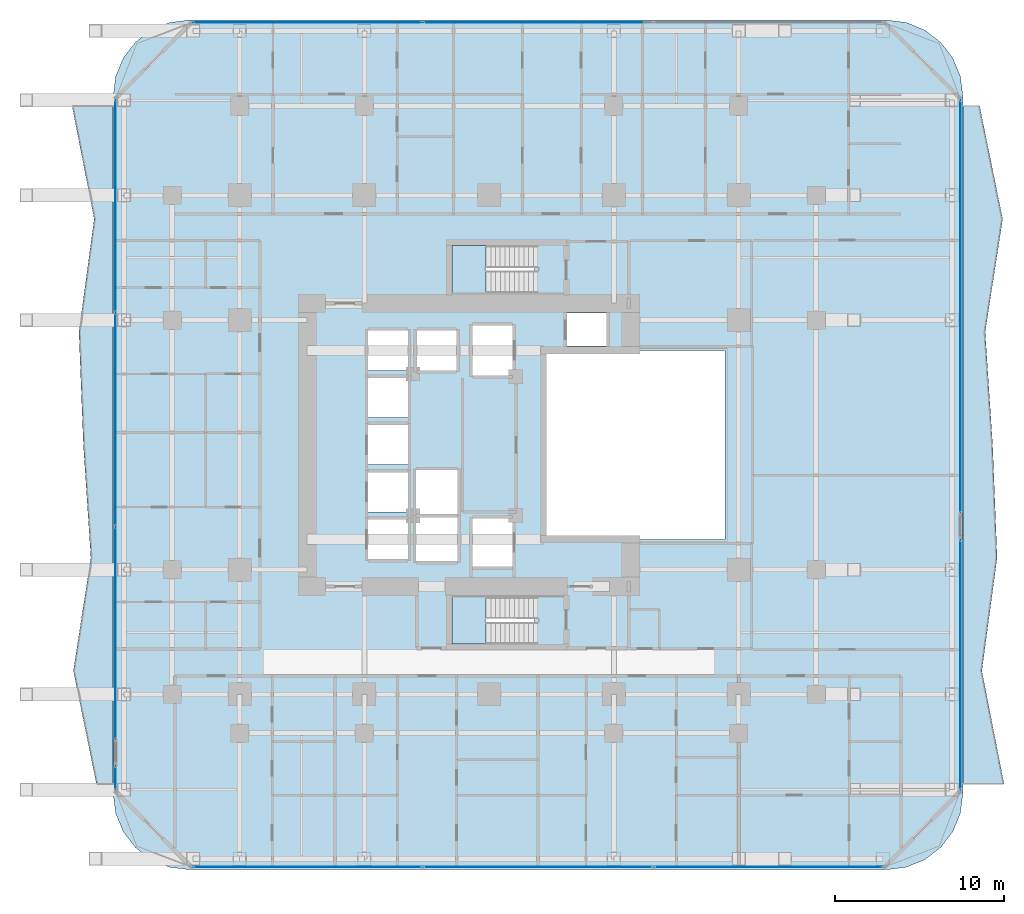
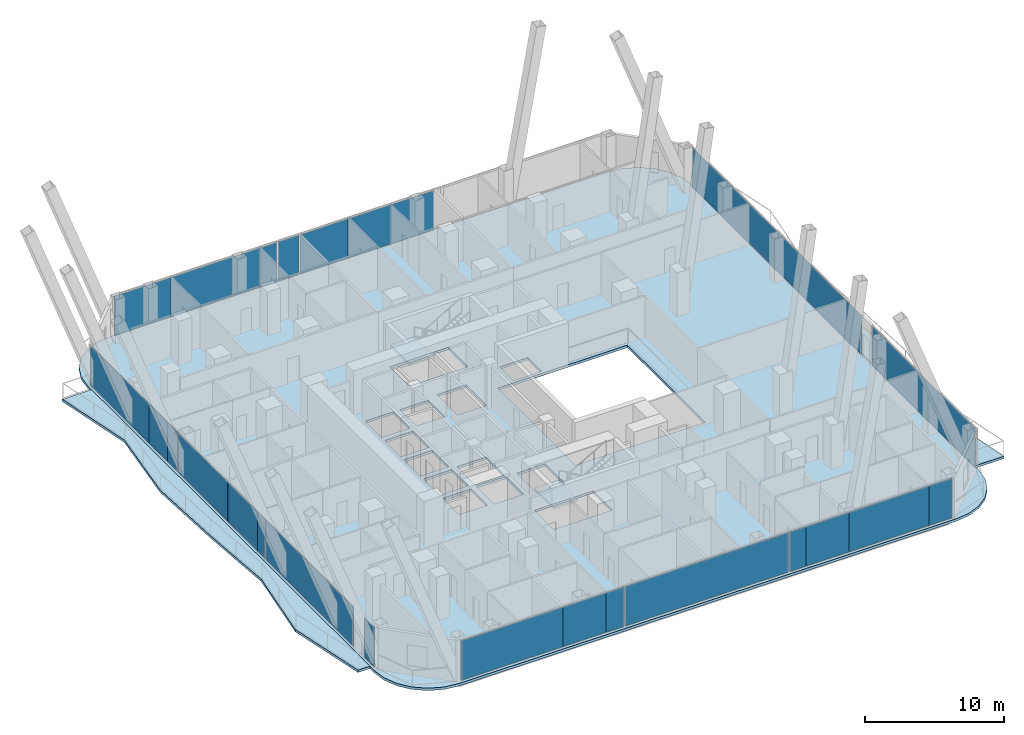
# One storey, part 23 of 33: 25 plates, 5 slabs, 8 elements without a shape of their own.
"""IFC4 building model written with IfcOpenShell, lengths in metres."""

from ifc_helpers import new_model, si_unit, direction, frame, origin, origin_2d, place, context, subcontext, project, spatial, polyline, rectangle, outline, extrude, material, layer, layer_set, type_object, element, aggregate, save


model = new_model("IFC4")

# Units and contexts
model_context = context("Model", 3, precision=1e-05, world=origin(), true_north=direction((0.0, 1.0)))
body_context = subcontext(model_context, "Body", "Model", "MODEL_VIEW")
ifc_project = project(units=[si_unit("LENGTHUNIT", "METRE"), si_unit("AREAUNIT", "SQUARE_METRE"), si_unit("VOLUMEUNIT", "CUBIC_METRE"), si_unit("PLANEANGLEUNIT", "RADIAN"), si_unit("MASSUNIT", "GRAM", prefix="KILO")], contexts=[model_context])

# Site, building, storey
site_placement = place(None, origin())
site = spatial("IfcSite", under=ifc_project, at=site_placement, CompositionType="ELEMENT")
building_placement = place(site_placement, origin())
building = spatial("IfcBuilding", under=site, at=building_placement, Name="Khorvyn Point Tower", CompositionType="ELEMENT")
storey_placement = place(building_placement, frame((0.0, 0.0, 38.39990234375)))
storey = spatial("IfcBuildingStorey", under=building, at=storey_placement, Name="L10", CompositionType="ELEMENT", Elevation=38.39990234375)

# Slabs
ifc_material_1 = material(Name="Concrete C35/45", Category="concrete")
ifc_layer_1 = layer(ifc_material_1, 0.219970703125)
ifc_layer_set_1 = layer_set([ifc_layer_1], Name="Concrete C35/45 Structural Floor Slab 220")
slab_type_1 = type_object("IfcSlabType", Name="Concrete C35/45 Structural Floor Slab 220", PredefinedType="FLOOR", material=ifc_layer_set_1)
slab_1_placement = place(storey_placement, frame((0.0, 0.0, -0.219970703125)))
element("IfcSlab", 1, at=slab_1_placement, inside=storey, type_object=slab_type_1, Name="L10 Main Structural Floor Slab", PredefinedType="FLOOR", context=body_context, shape_type="SweptSolid", body=[
    extrude(outline(polyline([(-17.800048828125, -25.199951171875), (-18.964599609375, -25.046630859375), (-20.050048828125, -24.59716796875), (-20.98193359375, -23.882080078125), (-21.697021484375, -22.949951171875), (-22.146728515625, -21.86474609375), (-22.300048828125, -20.699951171875), (-22.300048828125, 20.699951171875), (-22.146728515625, 21.86474609375), (-21.697021484375, 22.949951171875), (-20.98193359375, 23.882080078125), (-20.050048828125, 24.59716796875), (-18.964599609375, 25.046630859375), (-17.800048828125, 25.199951171875), (23.60009765625, 25.199951171875), (24.7646484375, 25.046630859375), (25.85009765625, 24.59716796875), (26.781982421875, 23.882080078125), (27.4970703125, 22.949951171875), (27.94677734375, 21.86474609375), (28.10009765625, 20.699951171875), (28.10009765625, -20.699951171875), (27.94677734375, -21.86474609375), (27.4970703125, -22.949951171875), (26.781982421875, -23.882080078125), (25.85009765625, -24.59716796875), (24.7646484375, -25.046630859375), (23.60009765625, -25.199951171875), (-17.800048828125, -25.199951171875)]), holes=[polyline([(-4.824951171875, -6.77490234375), (-4.824951171875, -4.425048828125), (-7.175048828125, -4.425048828125), (-7.175048828125, -6.77490234375), (-4.824951171875, -6.77490234375)]), polyline([(-4.324951171875, -6.89990234375), (-1.875, -6.89990234375), (-1.875, -4.300048828125), (-4.324951171875, -4.300048828125), (-4.324951171875, -6.89990234375)]), polyline([(-7.175048828125, -3.97509765625), (-4.824951171875, -3.97509765625), (-4.824951171875, -1.625), (-7.175048828125, -1.625), (-7.175048828125, -3.97509765625)]), polyline([(-7.175048828125, -1.175048828125), (-4.824951171875, -1.175048828125), (-4.824951171875, 1.175048828125), (-7.175048828125, 1.175048828125), (-7.175048828125, -1.175048828125)]), polyline([(-7.175048828125, 1.625), (-4.824951171875, 1.625), (-4.824951171875, 3.97509765625), (-7.175048828125, 3.97509765625), (-7.175048828125, 1.625)]), polyline([(-7.175048828125, 4.425048828125), (-4.824951171875, 4.425048828125), (-4.824951171875, 6.77490234375), (-7.175048828125, 6.77490234375), (-7.175048828125, 4.425048828125)]), polyline([(-4.27490234375, 4.425048828125), (-1.925048828125, 4.425048828125), (-1.925048828125, 6.77490234375), (-4.27490234375, 6.77490234375), (-4.27490234375, 4.425048828125)]), polyline([(2.679931640625, -11.820068359375), (2.679931640625, -9.02001953125), (-2.199951171875, -9.02001953125), (-2.199951171875, -11.820068359375), (2.679931640625, -11.820068359375)]), polyline([(-0.97509765625, -7.22509765625), (1.375, -7.22509765625), (1.375, -4.375), (-0.97509765625, -4.375), (-0.97509765625, -7.22509765625)]), polyline([(-4.324951171875, -4.10009765625), (-1.875, -4.10009765625), (-1.875, -1.5), (-4.324951171875, -1.5), (-4.324951171875, -4.10009765625)]), polyline([(3.199951171875, -5.60009765625), (14.0, -5.60009765625), (14.0, 5.60009765625), (3.199951171875, 5.60009765625), (3.199951171875, -5.60009765625)]), polyline([(-1.0, 4.125), (1.39990234375, 4.125), (1.39990234375, 7.074951171875), (-1.0, 7.074951171875), (-1.0, 4.125)]), polyline([(4.625, 5.85009765625), (6.97509765625, 5.85009765625), (6.97509765625, 7.830078125), (4.625, 7.830078125), (4.625, 5.85009765625)]), polyline([(-2.199951171875, 9.02001953125), (2.679931640625, 9.02001953125), (2.679931640625, 11.820068359375), (-2.199951171875, 11.820068359375), (-2.199951171875, 9.02001953125)])]), origin(), (0.0, 0.0, 1.0), 0.219970703125),
])
ifc_material_2 = material(Name="Concrete C40/50", Category="concrete")
ifc_layer_2 = layer(ifc_material_2, 0.2099609375)
ifc_layer_set_2 = layer_set([ifc_layer_2], Name="Concrete C40/50 Rippling Balcony Slab 210")
slab_type_2 = type_object("IfcSlabType", Name="Concrete C40/50 Rippling Balcony Slab 210", PredefinedType="USERDEFINED", material=ifc_layer_set_2)
slab_2_placement = place(storey_placement, frame((0.0, 0.0, -0.2099609375)))
element("IfcSlab", 2, at=slab_2_placement, inside=storey, type_object=slab_type_2, Name="L10 East Sinusoidal Rippling Balcony", ObjectType="BALCONY", PredefinedType="USERDEFINED", context=body_context, shape_type="SweptSolid", body=[
    extrude(outline(polyline([(28.10009765625, -20.10009765625), (30.53857421875, -20.10009765625), (29.225341796875, -13.39990234375), (30.129638671875, -6.699951171875), (29.864990234375, 0.0), (29.422607421875, 6.699951171875), (30.458984375, 13.39990234375), (29.0927734375, 20.10009765625), (28.10009765625, 20.10009765625), (28.10009765625, -20.10009765625)])), origin(), (0.0, 0.0, 1.0), 0.2099609375),
])
slab_3_placement = place(storey_placement, frame((0.0, 0.0, -0.2099609375)))
element("IfcSlab", 3, at=slab_3_placement, inside=storey, type_object=slab_type_2, Name="L10 West Sinusoidal Rippling Balcony", ObjectType="BALCONY", PredefinedType="USERDEFINED", context=body_context, shape_type="SweptSolid", body=[
    extrude(outline(polyline([(-22.300048828125, 20.10009765625), (-24.738525390625, 20.10009765625), (-23.42529296875, 13.39990234375), (-24.32958984375, 6.699951171875), (-24.06494140625, 0.0), (-23.62255859375, -6.699951171875), (-24.6591796875, -13.39990234375), (-23.292724609375, -20.10009765625), (-22.300048828125, -20.10009765625), (-22.300048828125, 20.10009765625)])), origin(), (0.0, 0.0, 1.0), 0.2099609375),
])

# Stair, slab
stair_type = type_object("IfcStairType", Name="Tower Concrete C40/50 Dogleg Exit Stair", PredefinedType="HALF_TURN_STAIR", material=ifc_material_2)
stair_1_placement = place(storey_placement, origin())
stair_1 = element("IfcStair", 4, at=stair_1_placement, inside=storey, type_object=stair_type, Name="L10 Tower Smokeproof Exit Stair South", PredefinedType="HALF_TURN_STAIR")
ifc_layer_3 = layer(ifc_material_2, 0.199951171875)
ifc_layer_set_3 = layer_set([ifc_layer_3], Name="Concrete C40/50 Stair Landing Slab 200")
slab_type_3 = type_object("IfcSlabType", Name="Concrete C40/50 Stair Landing Slab 200", PredefinedType="LANDING", material=ifc_layer_set_3)
slab_4_placement = place(storey_placement, frame((0.0, 0.0, 1.75)))
slab_4 = element("IfcSlab", 5, at=slab_4_placement, type_object=slab_type_3, Name="ST-01 landing 1", PredefinedType="LANDING", context=body_context, shape_type="SweptSolid", body=[
    extrude(outline(polyline([(-0.179931640625, -9.02001953125), (-2.199951171875, -9.02001953125), (-2.199951171875, -11.820068359375), (-0.179931640625, -11.820068359375), (-0.179931640625, -9.02001953125)])), origin(), (0.0, 0.0, 1.0), 0.2001953125),
])
aggregate(stair_1, [slab_4])

stair_2_placement = place(storey_placement, origin())
stair_2 = element("IfcStair", 6, at=stair_2_placement, inside=storey, type_object=stair_type, Name="L10 Tower Smokeproof Exit Stair North", PredefinedType="HALF_TURN_STAIR")
slab_5_placement = place(storey_placement, frame((0.0, 0.0, 1.75)))
slab_5 = element("IfcSlab", 7, at=slab_5_placement, type_object=slab_type_3, Name="ST-02 landing 1", PredefinedType="LANDING", context=body_context, shape_type="SweptSolid", body=[
    extrude(outline(polyline([(-0.179931640625, 11.820068359375), (-2.199951171875, 11.820068359375), (-2.199951171875, 9.02001953125), (-0.179931640625, 9.02001953125), (-0.179931640625, 11.820068359375)])), origin(), (0.0, 0.0, 1.0), 0.2001953125),
])
aggregate(stair_2, [slab_5])

# Curtain wall, plates
ifc_material_3 = material(Name="Anodised aluminium 6063-T6 and laminated Low-E glass", Category="aluminium")
ifc_layer_4 = layer(ifc_material_3, 0.18994140625)
ifc_layer_set_4 = layer_set([ifc_layer_4], Name="Stick-Built Finned Residential Curtain Wall CW-SYS-02")
curtain_wall_type = type_object("IfcCurtainWallType", Name="Stick-Built Finned Residential Curtain Wall CW-SYS-02", PredefinedType="NOTDEFINED", material=ifc_layer_set_4)
curtain_wall_1_placement = place(storey_placement, origin())
curtain_wall_1 = element("IfcCurtainWall", 8, at=curtain_wall_1_placement, inside=storey, type_object=curtain_wall_type, Name="Curtain Wall", PredefinedType="NOTDEFINED")
ifc_material_4 = material(Name="Laminated Low-E insulated glass", Category="glass")
ifc_layer_5 = layer(ifc_material_4, 0.028076171875)
ifc_layer_set_5 = layer_set([ifc_layer_5], Name="Tempered Low-E Vision Glazing Panel CW-GL28")
plate_type = type_object("IfcPlateType", Name="Tempered Low-E Vision Glazing Panel CW-GL28", PredefinedType="CURTAIN_PANEL", material=ifc_layer_set_5)
plate_1_placement = place(storey_placement, frame((10.48095703125, -25.050048828125, 0.10009765625), z_axis=(0.0, 0.0, 1.0), x_axis=(-1.0, 0.0, 0.0)))
plate_1 = element("IfcPlate", 9, at=plate_1_placement, type_object=plate_type, Name="Panel", PredefinedType="CURTAIN_PANEL", context=body_context, shape_type="SweptSolid", body=[
    extrude(rectangle(XDim=1.35400390625, YDim=0.028076171875, at=origin_2d()), origin(), (0.0, 0.0, 1.0), 3.47998046875),
])
plate_2_placement = place(storey_placement, frame((12.9619140625, -25.050048828125, 0.10009765625), z_axis=(0.0, 0.0, 1.0), x_axis=(-1.0, 0.0, 0.0)))
plate_2 = element("IfcPlate", 10, at=plate_2_placement, type_object=plate_type, Name="Panel", PredefinedType="CURTAIN_PANEL", context=body_context, shape_type="SweptSolid", body=[
    extrude(rectangle(XDim=3.592041015625, YDim=0.028076171875, at=origin_2d()), origin(), (0.0, 0.0, 1.0), 3.47998046875),
])
plate_3_placement = place(storey_placement, frame((18.08837890625, -25.050048828125, 0.10009765625), z_axis=(0.0, 0.0, 1.0), x_axis=(-1.0, 0.0, 0.0)))
plate_3 = element("IfcPlate", 11, at=plate_3_placement, type_object=plate_type, Name="Panel", PredefinedType="CURTAIN_PANEL", context=body_context, shape_type="SweptSolid", body=[
    extrude(rectangle(XDim=6.64501953125, YDim=0.028076171875, at=origin_2d()), origin(), (0.0, 0.0, 1.0), 3.47998046875),
])
plate_4_placement = place(storey_placement, frame((22.382568359375, -25.050048828125, 0.10009765625), z_axis=(0.0, 0.0, 1.0), x_axis=(-1.0, 0.0, 0.0)))
plate_4 = element("IfcPlate", 12, at=plate_4_placement, type_object=plate_type, Name="Panel", PredefinedType="CURTAIN_PANEL", context=body_context, shape_type="SweptSolid", body=[
    extrude(rectangle(XDim=1.927001953125, YDim=0.028076171875, at=origin_2d()), origin(), (0.0, 0.0, 1.0), 3.47998046875),
])
plate_5_placement = place(storey_placement, frame((2.89990234375, -25.050048828125, 0.10009765625), z_axis=(0.0, 0.0, 1.0), x_axis=(-1.0, 0.0, 0.0)))
plate_5 = element("IfcPlate", 13, at=plate_5_placement, type_object=plate_type, Name="Panel", PredefinedType="CURTAIN_PANEL", context=body_context, shape_type="SweptSolid", body=[
    extrude(rectangle(XDim=13.60009765625, YDim=0.028076171875, at=origin_2d()), origin(), (0.0, 0.0, 1.0), 3.47998046875),
])
plate_6_placement = place(storey_placement, frame((-13.320556640625, -25.050048828125, 0.10009765625), z_axis=(0.0, 0.0, 1.0), x_axis=(-1.0, 0.0, 0.0)))
plate_6 = element("IfcPlate", 14, at=plate_6_placement, type_object=plate_type, Name="Panel", PredefinedType="CURTAIN_PANEL", context=body_context, shape_type="SweptSolid", body=[
    extrude(rectangle(XDim=8.450927734375, YDim=0.028076171875, at=origin_2d()), origin(), (0.0, 0.0, 1.0), 3.47998046875),
])
plate_7_placement = place(storey_placement, frame((-7.29248046875, -25.050048828125, 0.10009765625), z_axis=(0.0, 0.0, 1.0), x_axis=(-1.0, 0.0, 0.0)))
plate_7 = element("IfcPlate", 15, at=plate_7_placement, type_object=plate_type, Name="Panel", PredefinedType="CURTAIN_PANEL", context=body_context, shape_type="SweptSolid", body=[
    extrude(rectangle(XDim=3.589111328125, YDim=0.028076171875, at=origin_2d()), origin(), (0.0, 0.0, 1.0), 3.47998046875),
])
plate_8_placement = place(storey_placement, frame((-4.7470703125, -25.050048828125, 0.10009765625), z_axis=(0.0, 0.0, 1.0), x_axis=(-1.0, 0.0, 0.0)))
plate_8 = element("IfcPlate", 16, at=plate_8_placement, type_object=plate_type, Name="Panel", PredefinedType="CURTAIN_PANEL", context=body_context, shape_type="SweptSolid", body=[
    extrude(rectangle(XDim=1.486083984375, YDim=0.028076171875, at=origin_2d()), origin(), (0.0, 0.0, 1.0), 3.47998046875),
])
aggregate(curtain_wall_1, [plate_1, plate_2, plate_3, plate_4, plate_5, plate_6, plate_7, plate_8])

curtain_wall_2_placement = place(storey_placement, origin())
curtain_wall_2 = element("IfcCurtainWall", 17, at=curtain_wall_2_placement, inside=storey, type_object=curtain_wall_type, Name="Curtain Wall", PredefinedType="NOTDEFINED")
plate_9_placement = place(storey_placement, frame((-15.214111328125, 25.050048828125, 0.10009765625), z_axis=(0.0, 0.0, 1.0), x_axis=(1.0, 0.0, 0.0)))
plate_9 = element("IfcPlate", 18, at=plate_9_placement, type_object=plate_type, Name="Panel", PredefinedType="CURTAIN_PANEL", context=body_context, shape_type="SweptSolid", body=[
    extrude(rectangle(XDim=4.6640625, YDim=0.028076171875, at=origin_2d()), origin(), (0.0, 0.0, 1.0), 3.47998046875),
])
plate_10_placement = place(storey_placement, frame((-9.134033203125, 25.050048828125, 0.10009765625), z_axis=(0.0, 0.0, 1.0), x_axis=(1.0, 0.0, 0.0)))
plate_10 = element("IfcPlate", 19, at=plate_10_placement, type_object=plate_type, Name="Panel", PredefinedType="CURTAIN_PANEL", context=body_context, shape_type="SweptSolid", body=[
    extrude(rectangle(XDim=7.47998046875, YDim=0.028076171875, at=origin_2d()), origin(), (0.0, 0.0, 1.0), 3.47998046875),
])
plate_11_placement = place(storey_placement, frame((-4.695068359375, 25.050048828125, 0.10009765625), z_axis=(0.0, 0.0, 1.0), x_axis=(1.0, 0.0, 0.0)))
plate_11 = element("IfcPlate", 20, at=plate_11_placement, type_object=plate_type, Name="Panel", PredefinedType="CURTAIN_PANEL", context=body_context, shape_type="SweptSolid", body=[
    extrude(rectangle(XDim=1.382080078125, YDim=0.028076171875, at=origin_2d()), origin(), (0.0, 0.0, 1.0), 3.47998046875),
])
plate_12_placement = place(storey_placement, frame((-3.04052734375, 25.050048828125, 0.10009765625), z_axis=(0.0, 0.0, 1.0), x_axis=(1.0, 0.0, 0.0)))
plate_12 = element("IfcPlate", 21, at=plate_12_placement, type_object=plate_type, Name="Panel", PredefinedType="CURTAIN_PANEL", context=body_context, shape_type="SweptSolid", body=[
    extrude(rectangle(XDim=1.7109375, YDim=0.028076171875, at=origin_2d()), origin(), (0.0, 0.0, 1.0), 3.47998046875),
])
plate_13_placement = place(storey_placement, frame((-0.071044921875, 25.050048828125, 0.10009765625), z_axis=(0.0, 0.0, 1.0), x_axis=(1.0, 0.0, 0.0)))
plate_13 = element("IfcPlate", 22, at=plate_13_placement, type_object=plate_type, Name="Panel", PredefinedType="CURTAIN_PANEL", context=body_context, shape_type="SweptSolid", body=[
    extrude(rectangle(XDim=3.971923828125, YDim=0.028076171875, at=origin_2d()), origin(), (0.0, 0.0, 1.0), 3.47998046875),
])
plate_14_placement = place(storey_placement, frame((3.722412109375, 25.050048828125, 0.10009765625), z_axis=(0.0, 0.0, 1.0), x_axis=(1.0, 0.0, 0.0)))
plate_14 = element("IfcPlate", 23, at=plate_14_placement, type_object=plate_type, Name="Panel", PredefinedType="CURTAIN_PANEL", context=body_context, shape_type="SweptSolid", body=[
    extrude(rectangle(XDim=3.59912109375, YDim=0.028076171875, at=origin_2d()), origin(), (0.0, 0.0, 1.0), 3.47998046875),
])
plate_15_placement = place(storey_placement, frame((7.285400390625, 25.050048828125, 0.10009765625), z_axis=(0.0, 0.0, 1.0), x_axis=(1.0, 0.0, 0.0)))
plate_15 = element("IfcPlate", 24, at=plate_15_placement, type_object=plate_type, Name="Panel", PredefinedType="CURTAIN_PANEL", context=body_context, shape_type="SweptSolid", body=[
    extrude(rectangle(XDim=3.510986328125, YDim=0.028076171875, at=origin_2d()), origin(), (0.0, 0.0, 1.0), 3.47998046875),
])
aggregate(curtain_wall_2, [plate_9, plate_10, plate_11, plate_12, plate_13, plate_14, plate_15])

# Curtain wall, plate
curtain_wall_3_placement = place(storey_placement, origin())
curtain_wall_3 = element("IfcCurtainWall", 25, at=curtain_wall_3_placement, inside=storey, type_object=curtain_wall_type, Name="Curtain Wall", PredefinedType="NOTDEFINED")
plate_16_placement = place(storey_placement, frame((-22.14990234375, -19.760009765625, 0.10009765625), z_axis=(0.0, 0.0, 1.0), x_axis=(0.0, 1.0, 0.0)))
plate_16 = element("IfcPlate", 26, at=plate_16_placement, type_object=plate_type, Name="Panel", PredefinedType="CURTAIN_PANEL", context=body_context, shape_type="SweptSolid", body=[
    extrude(rectangle(XDim=1.3798828125, YDim=0.028076171875, at=origin_2d()), origin(), (0.0, 0.0, 1.0), 3.47998046875),
])
aggregate(curtain_wall_3, [plate_16])

# Curtain wall, plates
curtain_wall_4_placement = place(storey_placement, origin())
curtain_wall_4 = element("IfcCurtainWall", 27, at=curtain_wall_4_placement, inside=storey, type_object=curtain_wall_type, Name="Curtain Wall", PredefinedType="NOTDEFINED")
plate_17_placement = place(storey_placement, frame((-22.14990234375, -11.158447265625, 0.10009765625), z_axis=(0.0, 0.0, 1.0), x_axis=(0.0, 1.0, 0.0)))
plate_17 = element("IfcPlate", 28, at=plate_17_placement, type_object=plate_type, Name="Panel", PredefinedType="CURTAIN_PANEL", context=body_context, shape_type="SweptSolid", body=[
    extrude(rectangle(XDim=12.543212890625, YDim=0.028076171875, at=origin_2d()), origin(), (0.0, 0.0, 1.0), 3.47998046875),
])
plate_18_placement = place(storey_placement, frame((-22.14990234375, -4.212890625, 0.10009765625), z_axis=(0.0, 0.0, 1.0), x_axis=(0.0, 1.0, 0.0)))
plate_18 = element("IfcPlate", 29, at=plate_18_placement, type_object=plate_type, Name="Panel", PredefinedType="CURTAIN_PANEL", context=body_context, shape_type="SweptSolid", body=[
    extrude(rectangle(XDim=1.1396484375, YDim=0.028076171875, at=origin_2d()), origin(), (0.0, 0.0, 1.0), 3.47998046875),
])
plate_19_placement = place(storey_placement, frame((-22.14990234375, -1.486083984375, 0.10009765625), z_axis=(0.0, 0.0, 1.0), x_axis=(0.0, 1.0, 0.0)))
plate_19 = element("IfcPlate", 30, at=plate_19_placement, type_object=plate_type, Name="Panel", PredefinedType="CURTAIN_PANEL", context=body_context, shape_type="SweptSolid", body=[
    extrude(rectangle(XDim=4.298095703125, YDim=0.028076171875, at=origin_2d()), origin(), (0.0, 0.0, 1.0), 3.47998046875),
])
plate_20_placement = place(storey_placement, frame((-22.14990234375, 4.23681640625, 0.10009765625), z_axis=(0.0, 0.0, 1.0), x_axis=(0.0, 1.0, 0.0)))
plate_20 = element("IfcPlate", 31, at=plate_20_placement, type_object=plate_type, Name="Panel", PredefinedType="CURTAIN_PANEL", context=body_context, shape_type="SweptSolid", body=[
    extrude(rectangle(XDim=7.131591796875, YDim=0.028076171875, at=origin_2d()), origin(), (0.0, 0.0, 1.0), 3.47998046875),
])
plate_21_placement = place(storey_placement, frame((-22.14990234375, 8.643310546875, 0.10009765625), z_axis=(0.0, 0.0, 1.0), x_axis=(0.0, 1.0, 0.0)))
plate_21 = element("IfcPlate", 32, at=plate_21_placement, type_object=plate_type, Name="Panel", PredefinedType="CURTAIN_PANEL", context=body_context, shape_type="SweptSolid", body=[
    extrude(rectangle(XDim=1.46533203125, YDim=0.028076171875, at=origin_2d()), origin(), (0.0, 0.0, 1.0), 3.47998046875),
])
plate_22_placement = place(storey_placement, frame((-22.14990234375, 10.719970703125, 0.10009765625), z_axis=(0.0, 0.0, 1.0), x_axis=(0.0, 1.0, 0.0)))
plate_22 = element("IfcPlate", 33, at=plate_22_placement, type_object=plate_type, Name="Panel", PredefinedType="CURTAIN_PANEL", context=body_context, shape_type="SweptSolid", body=[
    extrude(rectangle(XDim=2.672119140625, YDim=0.028076171875, at=origin_2d()), origin(), (0.0, 0.0, 1.0), 3.47998046875),
])
plate_23_placement = place(storey_placement, frame((-22.14990234375, 16.2548828125, 0.10009765625), z_axis=(0.0, 0.0, 1.0), x_axis=(0.0, 1.0, 0.0)))
plate_23 = element("IfcPlate", 34, at=plate_23_placement, type_object=plate_type, Name="Panel", PredefinedType="CURTAIN_PANEL", context=body_context, shape_type="SweptSolid", body=[
    extrude(rectangle(XDim=8.382080078125, YDim=0.028076171875, at=origin_2d()), origin(), (0.0, 0.0, 1.0), 3.47998046875),
])
aggregate(curtain_wall_4, [plate_17, plate_18, plate_19, plate_20, plate_21, plate_22, plate_23])

# Curtain wall, plate
curtain_wall_5_placement = place(storey_placement, origin())
curtain_wall_5 = element("IfcCurtainWall", 35, at=curtain_wall_5_placement, inside=storey, type_object=curtain_wall_type, Name="Curtain Wall", PredefinedType="NOTDEFINED")
plate_24_placement = place(storey_placement, frame((27.949951171875, 8.219970703125, 0.10009765625), z_axis=(0.0, 0.0, 1.0), x_axis=(0.0, -1.0, 0.0)))
plate_24 = element("IfcPlate", 36, at=plate_24_placement, type_object=plate_type, Name="Panel", PredefinedType="CURTAIN_PANEL", context=body_context, shape_type="SweptSolid", body=[
    extrude(rectangle(XDim=24.4599609375, YDim=0.028076171875, at=origin_2d()), origin(), (0.0, 0.0, 1.0), 3.47998046875),
])
aggregate(curtain_wall_5, [plate_24])

curtain_wall_6_placement = place(storey_placement, origin())
curtain_wall_6 = element("IfcCurtainWall", 37, at=curtain_wall_6_placement, inside=storey, type_object=curtain_wall_type, Name="Curtain Wall", PredefinedType="NOTDEFINED")
plate_25_placement = place(storey_placement, frame((27.949951171875, -13.050048828125, 0.10009765625), z_axis=(0.0, 0.0, 1.0), x_axis=(0.0, -1.0, 0.0)))
plate_25 = element("IfcPlate", 38, at=plate_25_placement, type_object=plate_type, Name="Panel", PredefinedType="CURTAIN_PANEL", context=body_context, shape_type="SweptSolid", body=[
    extrude(rectangle(XDim=14.800048828125, YDim=0.028076171875, at=origin_2d()), origin(), (0.0, 0.0, 1.0), 3.47998046875),
])
aggregate(curtain_wall_6, [plate_25])

save(model, "model.ifc")
